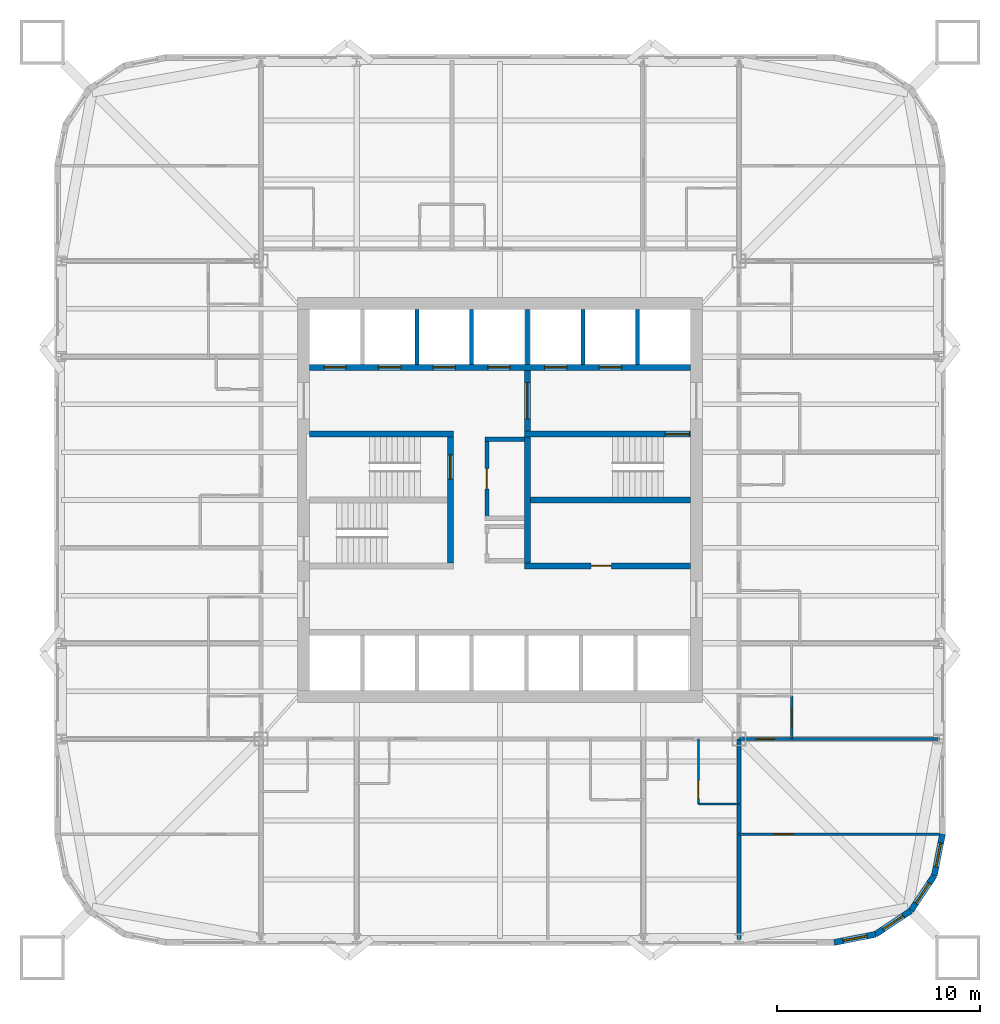
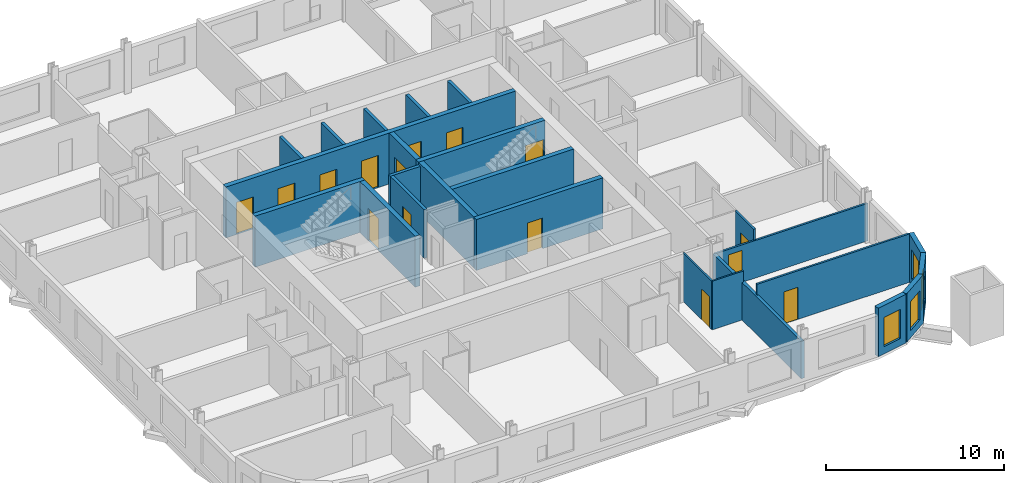
# One storey, part 5 of 10: 24 walls, 15 doors, 4 windows, 19 openings.
"""IFC4 building model written with IfcOpenShell, lengths in metres."""

from ifc_helpers import new_model, si_unit, direction, frame, frame_2d, origin, place, context, subcontext, project, spatial, rectangle, extrude, material, layer, layer_set, type_object, element, fill, save


model = new_model("IFC4")

# Units and contexts
model_context = context("Model", 3, precision=1e-05, world=origin(), true_north=direction((0.0, 1.0)))
body_context = subcontext(model_context, "Body", "Model", "MODEL_VIEW")
ifc_project = project(units=[si_unit("LENGTHUNIT", "METRE"), si_unit("AREAUNIT", "SQUARE_METRE"), si_unit("VOLUMEUNIT", "CUBIC_METRE"), si_unit("PLANEANGLEUNIT", "RADIAN"), si_unit("MASSUNIT", "GRAM", prefix="KILO")], contexts=[model_context])

# Site, building, storey
site_placement = place(None, origin())
site = spatial("IfcSite", under=ifc_project, at=site_placement, CompositionType="ELEMENT")
building_placement = place(site_placement, origin())
building = spatial("IfcBuilding", under=site, at=building_placement, Name="Turquesa Mirador Hotel Tower", CompositionType="ELEMENT")
storey_placement = place(building_placement, frame((0.0, 0.0, 46.0)))
storey = spatial("IfcBuildingStorey", under=building, at=storey_placement, Name="L11", CompositionType="ELEMENT", Elevation=46.0)

# Wall
ifc_material_1 = material(Name="Gypsum board on steel studs", Category="steel")
ifc_layer_1 = layer(ifc_material_1, 0.10009765625)
ifc_layer_set_1 = layer_set([ifc_layer_1], Name="BATHROOM WALL 100")
wall_type_1 = type_object("IfcWallType", Name="BATHROOM WALL 100", PredefinedType="PARTITIONING", material=ifc_layer_set_1)
wall_1_placement = place(storey_placement, frame((64.800048828125, 30.0, 0.0), z_axis=(0.0, 0.0, 1.0), x_axis=(1.0, 0.0, 0.0)))
element("IfcWall", 1, at=wall_1_placement, inside=storey, type_object=wall_type_1, Name="Partition L11 008", PredefinedType="PARTITIONING", context=body_context, shape_type="SweptSolid", body=[
    extrude(rectangle(XDim=2.0, YDim=0.10009765625, at=frame_2d((1.0, 0.0))), origin(), (0.0, 0.0, 1.0), 3.330078125),
])

# Wall, opening, door
wall_2_placement = place(storey_placement, frame((64.800048828125, 30.0, 0.0), z_axis=(0.0, 0.0, 1.0), x_axis=(0.0, 1.0, 0.0)))
wall_2 = element("IfcWall", 2, at=wall_2_placement, inside=storey, type_object=wall_type_1, Name="Partition L11 068", PredefinedType="PARTITIONING", context=body_context, shape_type="SweptSolid", body=[
    extrude(rectangle(XDim=3.199951171875, YDim=0.10009765625, at=frame_2d((1.60009765625, 0.0))), origin(), (0.0, 0.0, 1.0), 3.330078125),
])
opening_1_placement = place(wall_2_placement, frame((0.25, 0.0, 0.0)))
opening_1 = element("IfcOpeningElement", 3, at=opening_1_placement, cuts=wall_2, Name="Opening D02", PredefinedType="OPENING", context=body_context, shape_type="SweptSolid", body=[
    extrude(rectangle(XDim=0.89990234375, YDim=2.10009765625, at=frame_2d((0.449951171875, 1.050048828125))), frame((0.0, 0.06005859375, 0.0), z_axis=(0.0, -1.0, 0.0), x_axis=(1.0, 0.0, 0.0)), (0.0, 0.0, 1.0), 0.1201171875),
])
ifc_material_2 = material(Name="Timber veneered door", Category="wood")
door_type_1 = type_object("IfcDoorType", Name="DOOR 900X2100 EN-SUITE", OperationType="SINGLE_SWING_RIGHT", PredefinedType="DOOR", material=ifc_material_2)
door_1_placement = place(opening_1_placement, origin())
door_1 = element("IfcDoor", 4, at=door_1_placement, inside=storey, type_object=door_type_1, Name="Door 1105B", OperationType="SINGLE_SWING_RIGHT", OverallHeight=2.10009765625, OverallWidth=0.89990234375, PredefinedType="DOOR", context=body_context, shape_type="SweptSolid", body=[
    extrude(rectangle(XDim=0.89990234375, YDim=2.10009765625, at=frame_2d((0.449951171875, 1.050048828125))), frame((0.0, 0.02490234375, 0.0), z_axis=(0.0, -1.0, 0.0), x_axis=(1.0, 0.0, 0.0)), (0.0, 0.0, 1.0), 0.050048828125),
])
fill(opening_1, door_1)

# Wall, openings, doors
ifc_material_3 = material(Name="Concrete C50/60", Category="concrete")
ifc_layer_2 = layer(ifc_material_3, 0.300048828125)
ifc_layer_set_2 = layer_set([ifc_layer_2], Name="CORE INNER WALL 300")
wall_type_2 = type_object("IfcWallType", Name="CORE INNER WALL 300", PredefinedType="SHEAR", material=ifc_layer_set_2)
wall_3_placement = place(storey_placement, frame((45.60009765625, 51.550048828125, 0.0), z_axis=(0.0, 0.0, 1.0), x_axis=(1.0, 0.0, 0.0)))
wall_3 = element("IfcWall", 5, at=wall_3_placement, inside=storey, type_object=wall_type_2, Name="Core wall NL", PredefinedType="SHEAR", context=body_context, shape_type="SweptSolid", body=[
    extrude(rectangle(XDim=18.7998046875, YDim=0.300048828125, at=frame_2d((9.39990234375, 0.0))), origin(), (0.0, 0.0, 1.0), 3.5),
])
opening_2_placement = place(wall_3_placement, frame((0.699951171875, 0.0, 0.0)))
opening_2 = element("IfcOpeningElement", 6, at=opening_2_placement, cuts=wall_3, Name="Opening LD", PredefinedType="OPENING", context=body_context, shape_type="SweptSolid", body=[
    extrude(rectangle(XDim=1.10009765625, YDim=2.199951171875, at=frame_2d((0.550048828125, 1.10009765625))), frame((0.0, 0.159912109375, 0.0), z_axis=(0.0, -1.0, 0.0), x_axis=(1.0, 0.0, 0.0)), (0.0, 0.0, 1.0), 0.320068359375),
])
opening_3_placement = place(wall_3_placement, frame((3.39990234375, 0.0, 0.0)))
opening_3 = element("IfcOpeningElement", 7, at=opening_3_placement, cuts=wall_3, Name="Opening LD", PredefinedType="OPENING", context=body_context, shape_type="SweptSolid", body=[
    extrude(rectangle(XDim=1.10009765625, YDim=2.199951171875, at=frame_2d((0.550048828125, 1.10009765625))), frame((0.0, 0.159912109375, 0.0), z_axis=(0.0, -1.0, 0.0), x_axis=(1.0, 0.0, 0.0)), (0.0, 0.0, 1.0), 0.320068359375),
])
opening_4_placement = place(wall_3_placement, frame((6.10009765625, 0.0, 0.0)))
opening_4 = element("IfcOpeningElement", 8, at=opening_4_placement, cuts=wall_3, Name="Opening LD", PredefinedType="OPENING", context=body_context, shape_type="SweptSolid", body=[
    extrude(rectangle(XDim=1.10009765625, YDim=2.199951171875, at=frame_2d((0.550048828125, 1.10009765625))), frame((0.0, 0.159912109375, 0.0), z_axis=(0.0, -1.0, 0.0), x_axis=(1.0, 0.0, 0.0)), (0.0, 0.0, 1.0), 0.320068359375),
])
opening_5_placement = place(wall_3_placement, frame((8.800048828125, 0.0, 0.0)))
opening_5 = element("IfcOpeningElement", 9, at=opening_5_placement, cuts=wall_3, Name="Opening LD", PredefinedType="OPENING", context=body_context, shape_type="SweptSolid", body=[
    extrude(rectangle(XDim=1.10009765625, YDim=2.199951171875, at=frame_2d((0.550048828125, 1.10009765625))), frame((0.0, 0.159912109375, 0.0), z_axis=(0.0, -1.0, 0.0), x_axis=(1.0, 0.0, 0.0)), (0.0, 0.0, 1.0), 0.320068359375),
])
opening_6_placement = place(wall_3_placement, frame((11.60009765625, 0.0, 0.0)))
opening_6 = element("IfcOpeningElement", 10, at=opening_6_placement, cuts=wall_3, Name="Opening LD", PredefinedType="OPENING", context=body_context, shape_type="SweptSolid", body=[
    extrude(rectangle(XDim=1.10009765625, YDim=2.199951171875, at=frame_2d((0.550048828125, 1.10009765625))), frame((0.0, 0.159912109375, 0.0), z_axis=(0.0, -1.0, 0.0), x_axis=(1.0, 0.0, 0.0)), (0.0, 0.0, 1.0), 0.320068359375),
])
opening_7_placement = place(wall_3_placement, frame((14.300048828125, 0.0, 0.0)))
opening_7 = element("IfcOpeningElement", 11, at=opening_7_placement, cuts=wall_3, Name="Opening LD", PredefinedType="OPENING", context=body_context, shape_type="SweptSolid", body=[
    extrude(rectangle(XDim=1.10009765625, YDim=2.199951171875, at=frame_2d((0.550048828125, 1.10009765625))), frame((0.0, 0.159912109375, 0.0), z_axis=(0.0, -1.0, 0.0), x_axis=(1.0, 0.0, 0.0)), (0.0, 0.0, 1.0), 0.320068359375),
])
ifc_material_4 = material(Name="Stainless steel lift landing door", Category="steel")
door_type_2 = type_object("IfcDoorType", Name="LIFT LANDING DOOR 1100X2200", OperationType="SLIDING_TO_LEFT", PredefinedType="DOOR", material=ifc_material_4)
door_2_placement = place(opening_2_placement, origin())
door_2 = element("IfcDoor", 12, at=door_2_placement, inside=storey, type_object=door_type_2, Name="Lift A1 landing door", OperationType="SLIDING_TO_LEFT", OverallHeight=2.199951171875, OverallWidth=1.10009765625, PredefinedType="DOOR", context=body_context, shape_type="SweptSolid", body=[
    extrude(rectangle(XDim=1.10009765625, YDim=2.199951171875, at=frame_2d((0.550048828125, 1.10009765625))), frame((0.0, 0.02490234375, 0.0), z_axis=(0.0, -1.0, 0.0), x_axis=(1.0, 0.0, 0.0)), (0.0, 0.0, 1.0), 0.050048828125),
])
fill(opening_2, door_2)
door_3_placement = place(opening_3_placement, origin())
door_3 = element("IfcDoor", 13, at=door_3_placement, inside=storey, type_object=door_type_2, Name="Lift A2 landing door", OperationType="SLIDING_TO_LEFT", OverallHeight=2.199951171875, OverallWidth=1.10009765625, PredefinedType="DOOR", context=body_context, shape_type="SweptSolid", body=[
    extrude(rectangle(XDim=1.10009765625, YDim=2.199951171875, at=frame_2d((0.550048828125, 1.10009765625))), frame((0.0, 0.02490234375, 0.0), z_axis=(0.0, -1.0, 0.0), x_axis=(1.0, 0.0, 0.0)), (0.0, 0.0, 1.0), 0.050048828125),
])
fill(opening_3, door_3)
door_4_placement = place(opening_4_placement, origin())
door_4 = element("IfcDoor", 14, at=door_4_placement, inside=storey, type_object=door_type_2, Name="Lift A3 landing door", OperationType="SLIDING_TO_LEFT", OverallHeight=2.199951171875, OverallWidth=1.10009765625, PredefinedType="DOOR", context=body_context, shape_type="SweptSolid", body=[
    extrude(rectangle(XDim=1.10009765625, YDim=2.199951171875, at=frame_2d((0.550048828125, 1.10009765625))), frame((0.0, 0.02490234375, 0.0), z_axis=(0.0, -1.0, 0.0), x_axis=(1.0, 0.0, 0.0)), (0.0, 0.0, 1.0), 0.050048828125),
])
fill(opening_4, door_4)
door_5_placement = place(opening_5_placement, origin())
door_5 = element("IfcDoor", 15, at=door_5_placement, inside=storey, type_object=door_type_2, Name="Lift A4 landing door", OperationType="SLIDING_TO_LEFT", OverallHeight=2.199951171875, OverallWidth=1.10009765625, PredefinedType="DOOR", context=body_context, shape_type="SweptSolid", body=[
    extrude(rectangle(XDim=1.10009765625, YDim=2.199951171875, at=frame_2d((0.550048828125, 1.10009765625))), frame((0.0, 0.02490234375, 0.0), z_axis=(0.0, -1.0, 0.0), x_axis=(1.0, 0.0, 0.0)), (0.0, 0.0, 1.0), 0.050048828125),
])
fill(opening_5, door_5)
door_6_placement = place(opening_6_placement, origin())
door_6 = element("IfcDoor", 16, at=door_6_placement, inside=storey, type_object=door_type_2, Name="Lift S1 landing door", OperationType="SLIDING_TO_LEFT", OverallHeight=2.199951171875, OverallWidth=1.10009765625, PredefinedType="DOOR", context=body_context, shape_type="SweptSolid", body=[
    extrude(rectangle(XDim=1.10009765625, YDim=2.199951171875, at=frame_2d((0.550048828125, 1.10009765625))), frame((0.0, 0.02490234375, 0.0), z_axis=(0.0, -1.0, 0.0), x_axis=(1.0, 0.0, 0.0)), (0.0, 0.0, 1.0), 0.050048828125),
])
fill(opening_6, door_6)
door_7_placement = place(opening_7_placement, origin())
door_7 = element("IfcDoor", 17, at=door_7_placement, inside=storey, type_object=door_type_2, Name="Lift S2 landing door", OperationType="SLIDING_TO_LEFT", OverallHeight=2.199951171875, OverallWidth=1.10009765625, PredefinedType="DOOR", context=body_context, shape_type="SweptSolid", body=[
    extrude(rectangle(XDim=1.10009765625, YDim=2.199951171875, at=frame_2d((0.550048828125, 1.10009765625))), frame((0.0, 0.02490234375, 0.0), z_axis=(0.0, -1.0, 0.0), x_axis=(1.0, 0.0, 0.0)), (0.0, 0.0, 1.0), 0.050048828125),
])
fill(opening_7, door_7)

# Wall
wall_4_placement = place(storey_placement, frame((45.60009765625, 48.25, 0.0), z_axis=(0.0, 0.0, 1.0), x_axis=(1.0, 0.0, 0.0)))
element("IfcWall", 18, at=wall_4_placement, inside=storey, type_object=wall_type_2, Name="Core wall MN-W", PredefinedType="SHEAR", context=body_context, shape_type="SweptSolid", body=[
    extrude(rectangle(XDim=7.099853515625, YDim=0.300048828125, at=frame_2d((3.5498046875, 0.0))), origin(), (0.0, 0.0, 1.0), 3.5),
])

# Wall, opening, door
wall_5_placement = place(storey_placement, frame((56.199951171875, 48.25, 0.0), z_axis=(0.0, 0.0, 1.0), x_axis=(1.0, 0.0, 0.0)))
wall_5 = element("IfcWall", 19, at=wall_5_placement, inside=storey, type_object=wall_type_2, Name="Core wall MN-E", PredefinedType="SHEAR", context=body_context, shape_type="SweptSolid", body=[
    extrude(rectangle(XDim=8.199951171875, YDim=0.300048828125, at=frame_2d((4.10009765625, 0.0))), origin(), (0.0, 0.0, 1.0), 3.5),
])
opening_8_placement = place(wall_5_placement, frame((6.949951171875, 0.0, 0.0)))
opening_8 = element("IfcOpeningElement", 20, at=opening_8_placement, cuts=wall_5, Name="Opening D03", PredefinedType="OPENING", context=body_context, shape_type="SweptSolid", body=[
    extrude(rectangle(XDim=1.199951171875, YDim=2.199951171875, at=frame_2d((0.60009765625, 1.10009765625))), frame((0.0, 0.159912109375, 0.0), z_axis=(0.0, -1.0, 0.0), x_axis=(1.0, 0.0, 0.0)), (0.0, 0.0, 1.0), 0.320068359375),
])
ifc_material_5 = material(Name="Steel fire door", Category="steel")
door_type_3 = type_object("IfcDoorType", Name="DOOR 1200X2200 STAIR", OperationType="SINGLE_SWING_LEFT", PredefinedType="DOOR", material=ifc_material_5)
door_8_placement = place(opening_8_placement, origin())
door_8 = element("IfcDoor", 21, at=door_8_placement, inside=storey, type_object=door_type_3, Name="Stair ST3 door", OperationType="SINGLE_SWING_LEFT", OverallHeight=2.199951171875, OverallWidth=1.199951171875, PredefinedType="DOOR", context=body_context, shape_type="SweptSolid", body=[
    extrude(rectangle(XDim=1.199951171875, YDim=2.199951171875, at=frame_2d((0.60009765625, 1.10009765625))), frame((0.0, 0.02490234375, 0.0), z_axis=(0.0, -1.0, 0.0), x_axis=(1.0, 0.0, 0.0)), (0.0, 0.0, 1.0), 0.050048828125),
])
fill(opening_8, door_8)

wall_6_placement = place(storey_placement, frame((56.199951171875, 41.75, 0.0), z_axis=(0.0, 0.0, 1.0), x_axis=(1.0, 0.0, 0.0)))
wall_6 = element("IfcWall", 22, at=wall_6_placement, inside=storey, type_object=wall_type_2, Name="Core wall MS-E", PredefinedType="SHEAR", context=body_context, shape_type="SweptSolid", body=[
    extrude(rectangle(XDim=8.199951171875, YDim=0.300048828125, at=frame_2d((4.10009765625, 0.0))), origin(), (0.0, 0.0, 1.0), 3.5),
])
opening_9_placement = place(wall_6_placement, frame((3.300048828125, 0.0, 0.0)))
opening_9 = element("IfcOpeningElement", 23, at=opening_9_placement, cuts=wall_6, Name="Opening D05", PredefinedType="OPENING", context=body_context, shape_type="SweptSolid", body=[
    extrude(rectangle(XDim=1.0, YDim=2.10009765625, at=frame_2d((0.5, 1.050048828125))), frame((0.0, 0.159912109375, 0.0), z_axis=(0.0, -1.0, 0.0), x_axis=(1.0, 0.0, 0.0)), (0.0, 0.0, 1.0), 0.320068359375),
])
ifc_material_6 = material(Name="Steel fire door", Category="steel")
door_type_4 = type_object("IfcDoorType", Name="DOOR 1000X2100 SERVICE", OperationType="SINGLE_SWING_LEFT", PredefinedType="DOOR", material=ifc_material_6)
door_9_placement = place(opening_9_placement, origin())
door_9 = element("IfcDoor", 24, at=door_9_placement, inside=storey, type_object=door_type_4, Name="Housekeeping room door", OperationType="SINGLE_SWING_LEFT", OverallHeight=2.10009765625, OverallWidth=1.0, PredefinedType="DOOR", context=body_context, shape_type="SweptSolid", body=[
    extrude(rectangle(XDim=1.0, YDim=2.10009765625, at=frame_2d((0.5, 1.050048828125))), frame((0.0, 0.02490234375, 0.0), z_axis=(0.0, -1.0, 0.0), x_axis=(1.0, 0.0, 0.0)), (0.0, 0.0, 1.0), 0.050048828125),
])
fill(opening_9, door_9)

wall_7_placement = place(storey_placement, frame((52.550048828125, 41.89990234375, 0.0), z_axis=(0.0, 0.0, 1.0), x_axis=(0.0, 1.0, 0.0)))
wall_7 = element("IfcWall", 25, at=wall_7_placement, inside=storey, type_object=wall_type_2, Name="Core wall PW", PredefinedType="SHEAR", context=body_context, shape_type="SweptSolid", body=[
    extrude(rectangle(XDim=6.2001953125, YDim=0.300048828125, at=frame_2d((3.10009765625, 0.0))), origin(), (0.0, 0.0, 1.0), 3.5),
])
opening_10_placement = place(wall_7_placement, frame((4.125, 0.0, 0.0)))
opening_10 = element("IfcOpeningElement", 26, at=opening_10_placement, cuts=wall_7, Name="Opening D03", PredefinedType="OPENING", context=body_context, shape_type="SweptSolid", body=[
    extrude(rectangle(XDim=1.199951171875, YDim=2.199951171875, at=frame_2d((0.60009765625, 1.10009765625))), frame((0.0, 0.159912109375, 0.0), z_axis=(0.0, -1.0, 0.0), x_axis=(1.0, 0.0, 0.0)), (0.0, 0.0, 1.0), 0.320068359375),
])
door_10_placement = place(opening_10_placement, origin())
door_10 = element("IfcDoor", 27, at=door_10_placement, inside=storey, type_object=door_type_3, Name="Stair ST1 door", OperationType="SINGLE_SWING_LEFT", OverallHeight=2.199951171875, OverallWidth=1.199951171875, PredefinedType="DOOR", context=body_context, shape_type="SweptSolid", body=[
    extrude(rectangle(XDim=1.199951171875, YDim=2.199951171875, at=frame_2d((0.60009765625, 1.10009765625))), frame((0.0, 0.02490234375, 0.0), z_axis=(0.0, -1.0, 0.0), x_axis=(1.0, 0.0, 0.0)), (0.0, 0.0, 1.0), 0.050048828125),
])
fill(opening_10, door_10)

wall_8_placement = place(storey_placement, frame((56.35009765625, 41.89990234375, 0.0), z_axis=(0.0, 0.0, 1.0), x_axis=(0.0, 1.0, 0.0)))
wall_8 = element("IfcWall", 28, at=wall_8_placement, inside=storey, type_object=wall_type_2, Name="Core wall PE", PredefinedType="SHEAR", context=body_context, shape_type="SweptSolid", body=[
    extrude(rectangle(XDim=9.5, YDim=0.300048828125, at=frame_2d((4.75, 0.0))), origin(), (0.0, 0.0, 1.0), 3.5),
])
opening_11_placement = place(wall_8_placement, frame((7.10009765625, 0.0, 0.0)))
opening_11 = element("IfcOpeningElement", 29, at=opening_11_placement, cuts=wall_8, Name="Opening D04", PredefinedType="OPENING", context=body_context, shape_type="SweptSolid", body=[
    extrude(rectangle(XDim=1.800048828125, YDim=2.199951171875, at=frame_2d((0.89990234375, 1.10009765625))), frame((0.0, 0.159912109375, 0.0), z_axis=(0.0, -1.0, 0.0), x_axis=(1.0, 0.0, 0.0)), (0.0, 0.0, 1.0), 0.320068359375),
])
ifc_material_7 = material(Name="Steel fire door pair", Category="steel")
door_type_5 = type_object("IfcDoorType", Name="DOOR 1800X2200 PAIR", OperationType="DOUBLE_DOOR_SINGLE_SWING", PredefinedType="DOOR", material=ifc_material_7)
door_11_placement = place(opening_11_placement, origin())
door_11 = element("IfcDoor", 30, at=door_11_placement, inside=storey, type_object=door_type_5, Name="Firefighting lobby inner door", OperationType="DOUBLE_DOOR_SINGLE_SWING", OverallHeight=2.199951171875, OverallWidth=1.800048828125, PredefinedType="DOOR", context=body_context, shape_type="SweptSolid", body=[
    extrude(rectangle(XDim=1.800048828125, YDim=2.199951171875, at=frame_2d((0.89990234375, 1.10009765625))), frame((0.0, 0.02490234375, 0.0), z_axis=(0.0, -1.0, 0.0), x_axis=(1.0, 0.0, 0.0)), (0.0, 0.0, 1.0), 0.050048828125),
])
fill(opening_11, door_11)

# Wall
wall_9_placement = place(storey_placement, frame((56.5, 45.0, 0.0), z_axis=(0.0, 0.0, 1.0), x_axis=(1.0, 0.0, 0.0)))
element("IfcWall", 31, at=wall_9_placement, inside=storey, type_object=wall_type_2, Name="Core wall M0-E", PredefinedType="SHEAR", context=body_context, shape_type="SweptSolid", body=[
    extrude(rectangle(XDim=7.89990234375, YDim=0.300048828125, at=frame_2d((3.949951171875, 0.0))), origin(), (0.0, 0.0, 1.0), 3.5),
])

# Wall, opening, window
ifc_material_8 = material(Name="Limestone cladding on concrete block", Category="masonry")
ifc_layer_3 = layer(ifc_material_8, 0.300048828125)
ifc_layer_set_3 = layer_set([ifc_layer_3], Name="FACADE WALL 300 STONE SCREEN")
wall_type_3 = type_object("IfcWallType", Name="FACADE WALL 300 STONE SCREEN", PredefinedType="SOLIDWALL", material=ifc_layer_set_3)
wall_10_placement = place(storey_placement, frame((71.5, 23.14990234375, 0.0), z_axis=(0.0, 0.0, 1.0), x_axis=(0.980787050784, 0.195081421501, 0.0)))
wall_10 = element("IfcWall", 32, at=wall_10_placement, inside=storey, type_object=wall_type_3, Name="Facade wall L11 00", PredefinedType="SOLIDWALL", context=body_context, shape_type="SweptSolid", body=[
    extrude(rectangle(XDim=2.08740234375, YDim=0.300048828125, at=frame_2d((1.043701171875, 0.0))), origin(), (0.0, 0.0, 1.0), 3.330078125),
])
opening_12_placement = place(wall_10_placement, frame((0.443603515625, 0.0, 0.5)))
opening_12 = element("IfcOpeningElement", 33, at=opening_12_placement, cuts=wall_10, Name="Opening WN4", PredefinedType="OPENING", context=body_context, shape_type="SweptSolid", body=[
    extrude(rectangle(XDim=1.199951171875, YDim=2.0, at=frame_2d((0.60009765625, 1.0))), frame((0.0, 0.159912109375, 0.0), z_axis=(0.0, -1.0, 0.0), x_axis=(1.0, 0.0, 0.0)), (0.0, 0.0, 1.0), 0.320068359375),
])
ifc_material_9 = material(Name="Ceramic-fritted laminated glass", Category="glass")
window_type = type_object("IfcWindowType", Name="FRITTED CORNER WINDOW 1200X2000", PartitioningType="DOUBLE_PANEL_HORIZONTAL", PredefinedType="WINDOW", material=ifc_material_9)
window_1_placement = place(opening_12_placement, origin())
window_1 = element("IfcWindow", 34, at=window_1_placement, inside=storey, type_object=window_type, Name="Window L11", OverallHeight=2.0, OverallWidth=1.199951171875, PartitioningType="SINGLE_PANEL", PredefinedType="WINDOW", context=body_context, shape_type="SweptSolid", body=[
    extrude(rectangle(XDim=1.199951171875, YDim=2.0, at=frame_2d((0.60009765625, 1.0))), frame((0.0, 0.030029296875, 0.0), z_axis=(0.0, -1.0, 0.0), x_axis=(1.0, 0.0, 0.0)), (0.0, 0.0, 1.0), 0.06005859375),
])
fill(opening_12, window_1)

wall_11_placement = place(storey_placement, frame((73.54736328125, 23.55712890625, 0.0), z_axis=(0.0, 0.0, 1.0), x_axis=(0.831420010345, 0.555644460423, 0.0)))
wall_11 = element("IfcWall", 35, at=wall_11_placement, inside=storey, type_object=wall_type_3, Name="Facade wall L11 01", PredefinedType="SOLIDWALL", context=body_context, shape_type="SweptSolid", body=[
    extrude(rectangle(XDim=2.08740234375, YDim=0.300048828125, at=frame_2d((1.043701171875, 0.0))), origin(), (0.0, 0.0, 1.0), 3.330078125),
])
opening_13_placement = place(wall_11_placement, frame((0.443603515625, 0.0, 0.5)))
opening_13 = element("IfcOpeningElement", 36, at=opening_13_placement, cuts=wall_11, Name="Opening WN4", PredefinedType="OPENING", context=body_context, shape_type="SweptSolid", body=[
    extrude(rectangle(XDim=1.199951171875, YDim=2.0, at=frame_2d((0.60009765625, 1.0))), frame((0.0, 0.159912109375, 0.0), z_axis=(0.0, -1.0, 0.0), x_axis=(1.0, 0.0, 0.0)), (0.0, 0.0, 1.0), 0.320068359375),
])
window_2_placement = place(opening_13_placement, origin())
window_2 = element("IfcWindow", 37, at=window_2_placement, inside=storey, type_object=window_type, Name="Window L11", OverallHeight=2.0, OverallWidth=1.199951171875, PartitioningType="SINGLE_PANEL", PredefinedType="WINDOW", context=body_context, shape_type="SweptSolid", body=[
    extrude(rectangle(XDim=1.199951171875, YDim=2.0, at=frame_2d((0.60009765625, 1.0))), frame((0.0, 0.030029296875, 0.0), z_axis=(0.0, -1.0, 0.0), x_axis=(1.0, 0.0, 0.0)), (0.0, 0.0, 1.0), 0.06005859375),
])
fill(opening_13, window_2)

wall_12_placement = place(storey_placement, frame((75.282958984375, 24.717041015625, 0.0), z_axis=(0.0, 0.0, 1.0), x_axis=(0.555644460423, 0.831420010345, 0.0)))
wall_12 = element("IfcWall", 38, at=wall_12_placement, inside=storey, type_object=wall_type_3, Name="Facade wall L11 02", PredefinedType="SOLIDWALL", context=body_context, shape_type="SweptSolid", body=[
    extrude(rectangle(XDim=2.08740234375, YDim=0.300048828125, at=frame_2d((1.043701171875, 0.0))), origin(), (0.0, 0.0, 1.0), 3.330078125),
])
opening_14_placement = place(wall_12_placement, frame((0.443603515625, 0.0, 0.5)))
opening_14 = element("IfcOpeningElement", 39, at=opening_14_placement, cuts=wall_12, Name="Opening WN4", PredefinedType="OPENING", context=body_context, shape_type="SweptSolid", body=[
    extrude(rectangle(XDim=1.199951171875, YDim=2.0, at=frame_2d((0.60009765625, 1.0))), frame((0.0, 0.159912109375, 0.0), z_axis=(0.0, -1.0, 0.0), x_axis=(1.0, 0.0, 0.0)), (0.0, 0.0, 1.0), 0.320068359375),
])
window_3_placement = place(opening_14_placement, origin())
window_3 = element("IfcWindow", 40, at=window_3_placement, inside=storey, type_object=window_type, Name="Window L11", OverallHeight=2.0, OverallWidth=1.199951171875, PartitioningType="SINGLE_PANEL", PredefinedType="WINDOW", context=body_context, shape_type="SweptSolid", body=[
    extrude(rectangle(XDim=1.199951171875, YDim=2.0, at=frame_2d((0.60009765625, 1.0))), frame((0.0, 0.030029296875, 0.0), z_axis=(0.0, -1.0, 0.0), x_axis=(1.0, 0.0, 0.0)), (0.0, 0.0, 1.0), 0.06005859375),
])
fill(opening_14, window_3)

wall_13_placement = place(storey_placement, frame((76.44287109375, 26.45263671875, 0.0), z_axis=(0.0, 0.0, 1.0), x_axis=(0.195081421501, 0.980787050784, 0.0)))
wall_13 = element("IfcWall", 41, at=wall_13_placement, inside=storey, type_object=wall_type_3, Name="Facade wall L11 03", PredefinedType="SOLIDWALL", context=body_context, shape_type="SweptSolid", body=[
    extrude(rectangle(XDim=2.08740234375, YDim=0.300048828125, at=frame_2d((1.043701171875, 0.0))), origin(), (0.0, 0.0, 1.0), 3.330078125),
])
opening_15_placement = place(wall_13_placement, frame((0.443603515625, 0.0, 0.5)))
opening_15 = element("IfcOpeningElement", 42, at=opening_15_placement, cuts=wall_13, Name="Opening WN4", PredefinedType="OPENING", context=body_context, shape_type="SweptSolid", body=[
    extrude(rectangle(XDim=1.199951171875, YDim=2.0, at=frame_2d((0.60009765625, 1.0))), frame((0.0, 0.159912109375, 0.0), z_axis=(0.0, -1.0, 0.0), x_axis=(1.0, 0.0, 0.0)), (0.0, 0.0, 1.0), 0.320068359375),
])
window_4_placement = place(opening_15_placement, origin())
window_4 = element("IfcWindow", 43, at=window_4_placement, inside=storey, type_object=window_type, Name="Window L11", OverallHeight=2.0, OverallWidth=1.199951171875, PartitioningType="SINGLE_PANEL", PredefinedType="WINDOW", context=body_context, shape_type="SweptSolid", body=[
    extrude(rectangle(XDim=1.199951171875, YDim=2.0, at=frame_2d((0.60009765625, 1.0))), frame((0.0, 0.030029296875, 0.0), z_axis=(0.0, -1.0, 0.0), x_axis=(1.0, 0.0, 0.0)), (0.0, 0.0, 1.0), 0.06005859375),
])
fill(opening_15, window_4)

# Wall, opening, door
ifc_material_10 = material(Name="Fire-rated gypsum board on steel studs", Category="steel")
ifc_layer_4 = layer(ifc_material_10, 0.199951171875)
ifc_layer_set_4 = layer_set([ifc_layer_4], Name="FIRE PARTITION 200")
wall_type_4 = type_object("IfcWallType", Name="FIRE PARTITION 200", PredefinedType="PARTITIONING", material=ifc_layer_set_4)
wall_14_placement = place(storey_placement, frame((54.35009765625, 44.10009765625, 0.0), z_axis=(0.0, 0.0, 1.0), x_axis=(0.0, 1.0, 0.0)))
wall_14 = element("IfcWall", 44, at=wall_14_placement, inside=storey, type_object=wall_type_4, Name="Partition L11 LG W", PredefinedType="PARTITIONING", context=body_context, shape_type="SweptSolid", body=[
    extrude(rectangle(XDim=3.89990234375, YDim=0.199951171875, at=frame_2d((1.949951171875, 0.0))), origin(), (0.0, 0.0, 1.0), 3.330078125),
])
opening_16_placement = place(wall_14_placement, frame((1.449951171875, 0.0, 0.0)))
opening_16 = element("IfcOpeningElement", 45, at=opening_16_placement, cuts=wall_14, Name="Opening D05", PredefinedType="OPENING", context=body_context, shape_type="SweptSolid", body=[
    extrude(rectangle(XDim=1.0, YDim=2.10009765625, at=frame_2d((0.5, 1.050048828125))), frame((0.0, 0.10986328125, 0.0), z_axis=(0.0, -1.0, 0.0), x_axis=(1.0, 0.0, 0.0)), (0.0, 0.0, 1.0), 0.219970703125),
])
door_12_placement = place(opening_16_placement, origin())
door_12 = element("IfcDoor", 46, at=door_12_placement, inside=storey, type_object=door_type_4, Name="Luggage room door", OperationType="SINGLE_SWING_LEFT", OverallHeight=2.10009765625, OverallWidth=1.0, PredefinedType="DOOR", context=body_context, shape_type="SweptSolid", body=[
    extrude(rectangle(XDim=1.0, YDim=2.10009765625, at=frame_2d((0.5, 1.050048828125))), frame((0.0, 0.02490234375, 0.0), z_axis=(0.0, -1.0, 0.0), x_axis=(1.0, 0.0, 0.0)), (0.0, 0.0, 1.0), 0.050048828125),
])
fill(opening_16, door_12)

# Walls
wall_15_placement = place(storey_placement, frame((54.25, 48.0, 0.0), z_axis=(0.0, 0.0, 1.0), x_axis=(1.0, 0.0, 0.0)))
element("IfcWall", 47, at=wall_15_placement, inside=storey, type_object=wall_type_4, Name="Partition L11 LG N", PredefinedType="PARTITIONING", context=body_context, shape_type="SweptSolid", body=[
    extrude(rectangle(XDim=1.949951171875, YDim=0.199951171875, at=frame_2d((0.97509765625, 0.0))), origin(), (0.0, 0.0, 1.0), 3.330078125),
])
ifc_material_11 = material(Name="Fire-rated gypsum shaft wall on steel studs", Category="steel")
ifc_layer_5 = layer(ifc_material_11, 0.199951171875)
ifc_layer_set_5 = layer_set([ifc_layer_5], Name="LIFT SHAFT DIVIDER 200")
wall_type_5 = type_object("IfcWallType", Name="LIFT SHAFT DIVIDER 200", PredefinedType="PARTITIONING", material=ifc_layer_set_5)
for number, where, z_axis, x_axis, name in (
    (48, (50.89990234375, 51.699951171875, 0.0), (0.0, 0.0, 1.0), (0.0, 1.0, 0.0), "Lift shaft divider"),
    (49, (53.60009765625, 51.699951171875, 0.0), (0.0, 0.0, 1.0), (0.0, 1.0, 0.0), "Lift shaft divider"),
    (50, (59.10009765625, 51.699951171875, 0.0), (0.0, 0.0, 1.0), (0.0, 1.0, 0.0), "Lift shaft divider"),
    (51, (61.800048828125, 51.699951171875, 0.0), (0.0, 0.0, 1.0), (0.0, 1.0, 0.0), "Lift shaft divider"),
    (52, (56.35009765625, 51.699951171875, 0.0), (0.0, 0.0, 1.0), (0.0, 1.0, 0.0), "Lift shaft divider"),
):
    element("IfcWall", number, at=place(storey_placement, frame(where, z_axis=z_axis, x_axis=x_axis)), inside=storey, type_object=wall_type_5, Name=name, PredefinedType="PARTITIONING", context=body_context, shape_type="SweptSolid", body=[
        extrude(rectangle(XDim=2.699951171875, YDim=0.199951171875, at=frame_2d((1.35009765625, 0.0))), origin(), (0.0, 0.0, 1.0), 3.330078125),
    ])
ifc_material_12 = material(Name="Fire-rated gypsum board on steel studs", Category="steel")
ifc_layer_6 = layer(ifc_material_12, 0.199951171875)
ifc_layer_set_6 = layer_set([ifc_layer_6], Name="PARTY WALL 200")
wall_type_6 = type_object("IfcWallType", Name="PARTY WALL 200", PredefinedType="PARTITIONING", material=ifc_layer_set_6)
wall_16_placement = place(storey_placement, frame((66.800048828125, 23.300048828125, 0.0), z_axis=(0.0, 0.0, 1.0), x_axis=(0.0, 1.0, 0.0)))
element("IfcWall", 53, at=wall_16_placement, inside=storey, type_object=wall_type_6, Name="Partition L11 053", PredefinedType="PARTITIONING", context=body_context, shape_type="SweptSolid", body=[
    extrude(rectangle(XDim=9.89990234375, YDim=0.199951171875, at=frame_2d((4.949951171875, 0.0))), origin(), (0.0, 0.0, 1.0), 2.572998046875),
])

# Wall, opening, door
ifc_material_13 = material(Name="Acoustic gypsum board on steel studs", Category="steel")
ifc_layer_7 = layer(ifc_material_13, 0.125)
ifc_layer_set_7 = layer_set([ifc_layer_7], Name="SUITE PARTITION 125")
wall_type_7 = type_object("IfcWallType", Name="SUITE PARTITION 125", PredefinedType="PARTITIONING", material=ifc_layer_set_7)
wall_17_placement = place(storey_placement, frame((66.800048828125, 33.199951171875, 0.0), z_axis=(0.0, 0.0, 1.0), x_axis=(1.0, 0.0, 0.0)))
wall_17 = element("IfcWall", 54, at=wall_17_placement, inside=storey, type_object=wall_type_7, Name="Partition L11 003", PredefinedType="PARTITIONING", context=body_context, shape_type="SweptSolid", body=[
    extrude(rectangle(XDim=9.89990234375, YDim=0.125, at=frame_2d((4.949951171875, 0.0))), origin(), (0.0, 0.0, 1.0), 2.572998046875),
])
opening_17_placement = place(wall_17_placement, frame((0.85009765625, 0.0, 0.0)))
opening_17 = element("IfcOpeningElement", 55, at=opening_17_placement, cuts=wall_17, Name="Opening D17", PredefinedType="OPENING", context=body_context, shape_type="SweptSolid", body=[
    extrude(rectangle(XDim=0.89990234375, YDim=2.199951171875, at=frame_2d((0.449951171875, 1.10009765625))), frame((0.0, 0.072509765625, 0.0), z_axis=(0.0, -1.0, 0.0), x_axis=(1.0, 0.0, 0.0)), (0.0, 0.0, 1.0), 0.14501953125),
])
ifc_material_14 = material(Name="Timber veneered door", Category="wood")
door_type_6 = type_object("IfcDoorType", Name="DOOR 900X2200 SUITE INTERNAL", OperationType="SINGLE_SWING_LEFT", PredefinedType="DOOR", material=ifc_material_14)
door_13_placement = place(opening_17_placement, origin())
door_13 = element("IfcDoor", 56, at=door_13_placement, inside=storey, type_object=door_type_6, Name="Door 1113", OperationType="SINGLE_SWING_LEFT", OverallHeight=2.199951171875, OverallWidth=0.89990234375, PredefinedType="DOOR", context=body_context, shape_type="SweptSolid", body=[
    extrude(rectangle(XDim=0.89990234375, YDim=2.199951171875, at=frame_2d((0.449951171875, 1.10009765625))), frame((0.0, 0.02490234375, 0.0), z_axis=(0.0, -1.0, 0.0), x_axis=(1.0, 0.0, 0.0)), (0.0, 0.0, 1.0), 0.050048828125),
])
fill(opening_17, door_13)

wall_18_placement = place(storey_placement, frame((66.800048828125, 28.5, 0.0), z_axis=(0.0, 0.0, 1.0), x_axis=(1.0, 0.0, 0.0)))
wall_18 = element("IfcWall", 57, at=wall_18_placement, inside=storey, type_object=wall_type_7, Name="Partition L11 010", PredefinedType="PARTITIONING", context=body_context, shape_type="SweptSolid", body=[
    extrude(rectangle(XDim=9.89404296875, YDim=0.125, at=frame_2d((4.947021484375, 0.0))), origin(), (0.0, 0.0, 1.0), 3.330078125),
])
opening_18_placement = place(wall_18_placement, frame((1.75, 0.0, 0.0)))
opening_18 = element("IfcOpeningElement", 58, at=opening_18_placement, cuts=wall_18, Name="Opening D17", PredefinedType="OPENING", context=body_context, shape_type="SweptSolid", body=[
    extrude(rectangle(XDim=0.89990234375, YDim=2.199951171875, at=frame_2d((0.449951171875, 1.10009765625))), frame((0.0, 0.072509765625, 0.0), z_axis=(0.0, -1.0, 0.0), x_axis=(1.0, 0.0, 0.0)), (0.0, 0.0, 1.0), 0.14501953125),
])
door_14_placement = place(opening_18_placement, origin())
door_14 = element("IfcDoor", 59, at=door_14_placement, inside=storey, type_object=door_type_6, Name="Door 1113M", OperationType="SINGLE_SWING_LEFT", OverallHeight=2.199951171875, OverallWidth=0.89990234375, PredefinedType="DOOR", context=body_context, shape_type="SweptSolid", body=[
    extrude(rectangle(XDim=0.89990234375, YDim=2.199951171875, at=frame_2d((0.449951171875, 1.10009765625))), frame((0.0, 0.02490234375, 0.0), z_axis=(0.0, -1.0, 0.0), x_axis=(1.0, 0.0, 0.0)), (0.0, 0.0, 1.0), 0.050048828125),
])
fill(opening_18, door_14)

wall_19_placement = place(storey_placement, frame((69.39990234375, 33.199951171875, 0.0), z_axis=(0.0, 0.0, 1.0), x_axis=(0.0, 1.0, 0.0)))
wall_19 = element("IfcWall", 60, at=wall_19_placement, inside=storey, type_object=wall_type_7, Name="Partition L11 058", PredefinedType="PARTITIONING", context=body_context, shape_type="SweptSolid", body=[
    extrude(rectangle(XDim=2.1201171875, YDim=0.125, at=frame_2d((1.06005859375, 0.0))), origin(), (0.0, 0.0, 1.0), 3.330078125),
])
opening_19_placement = place(wall_19_placement, frame((0.610107421875, 0.0, 0.0)))
opening_19 = element("IfcOpeningElement", 61, at=opening_19_placement, cuts=wall_19, Name="Opening D17", PredefinedType="OPENING", context=body_context, shape_type="SweptSolid", body=[
    extrude(rectangle(XDim=0.89990234375, YDim=2.199951171875, at=frame_2d((0.449951171875, 1.10009765625))), frame((0.0, 0.072509765625, 0.0), z_axis=(0.0, -1.0, 0.0), x_axis=(1.0, 0.0, 0.0)), (0.0, 0.0, 1.0), 0.14501953125),
])
door_15_placement = place(opening_19_placement, origin())
door_15 = element("IfcDoor", 62, at=door_15_placement, inside=storey, type_object=door_type_6, Name="Door 1113R", OperationType="SINGLE_SWING_LEFT", OverallHeight=2.199951171875, OverallWidth=0.89990234375, PredefinedType="DOOR", context=body_context, shape_type="SweptSolid", body=[
    extrude(rectangle(XDim=0.89990234375, YDim=2.199951171875, at=frame_2d((0.449951171875, 1.10009765625))), frame((0.0, 0.02490234375, 0.0), z_axis=(0.0, -1.0, 0.0), x_axis=(1.0, 0.0, 0.0)), (0.0, 0.0, 1.0), 0.050048828125),
])
fill(opening_19, door_15)

save(model, "model.ifc")
